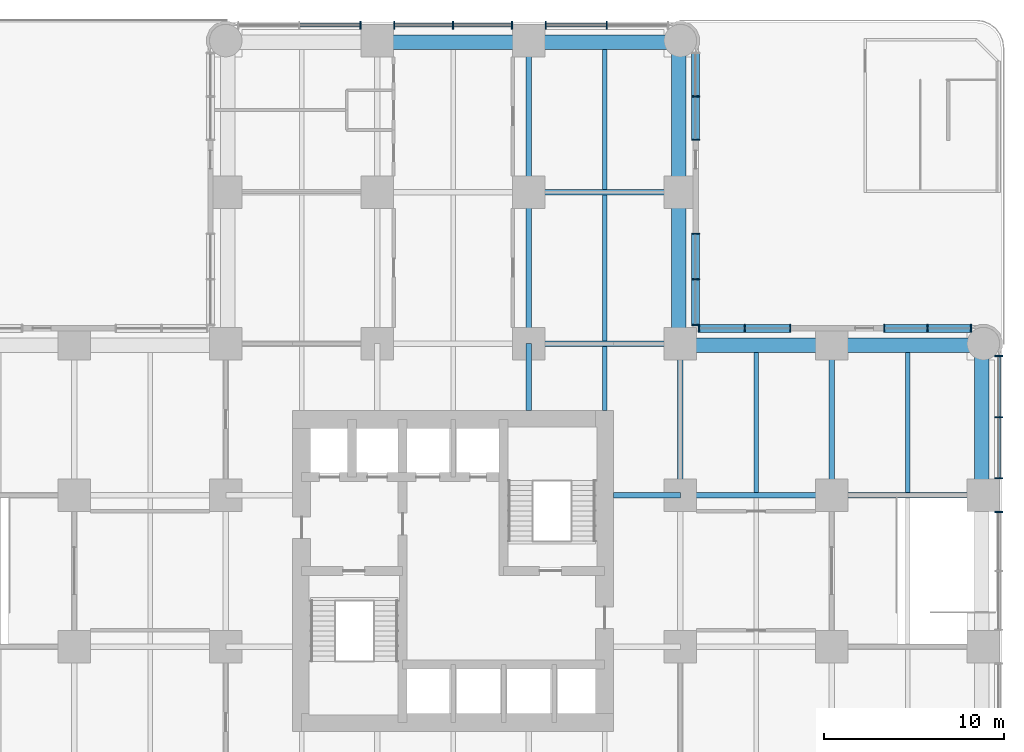
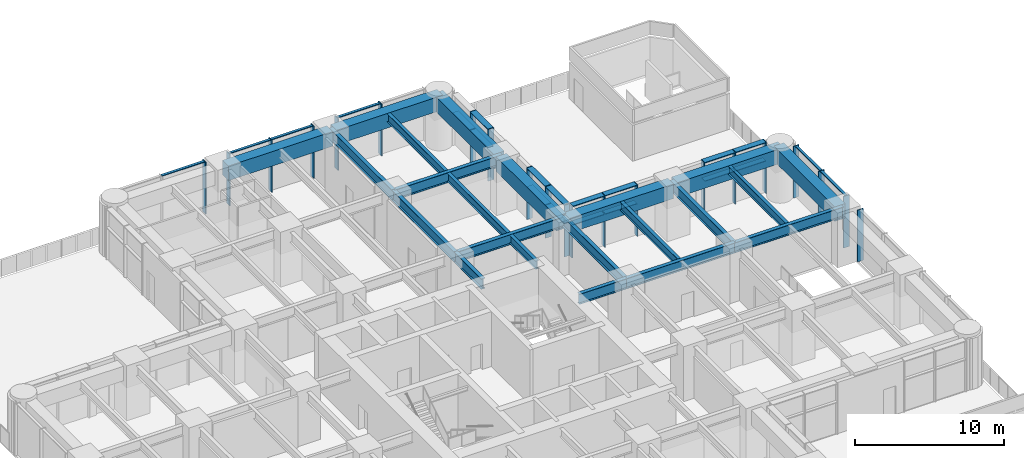
# One storey, part 6 of 21: 42 members, 22 beams, 6 elements without a shape of their own.
"""IFC4 building model written with IfcOpenShell, lengths in metres."""

from ifc_helpers import new_model, si_unit, direction, frame, origin, origin_2d, place, context, subcontext, project, spatial, rectangle, i_section, extrude, material, material_profile, profile_set, type_object, element, aggregate, save


model = new_model("IFC4")

# Units and contexts
model_context = context("Model", 3, precision=1e-05, world=origin(), true_north=direction((0.0, 1.0)))
body_context = subcontext(model_context, "Body", "Model", "MODEL_VIEW")
ifc_project = project(units=[si_unit("LENGTHUNIT", "METRE"), si_unit("AREAUNIT", "SQUARE_METRE"), si_unit("VOLUMEUNIT", "CUBIC_METRE"), si_unit("PLANEANGLEUNIT", "RADIAN"), si_unit("MASSUNIT", "GRAM", prefix="KILO")], contexts=[model_context])

# Site, building, storey
site_placement = place(None, origin())
site = spatial("IfcSite", under=ifc_project, at=site_placement, CompositionType="ELEMENT")
building_placement = place(site_placement, origin())
building = spatial("IfcBuilding", under=site, at=building_placement, Name="Torre Alcanfor", CompositionType="ELEMENT")
storey_placement = place(building_placement, frame((0.0, 0.0, 24.0)))
storey = spatial("IfcBuildingStorey", under=building, at=storey_placement, Name="L05", CompositionType="ELEMENT", Elevation=24.0)

# Curtain wall, members
ifc_material_1 = material(Name="Aluminium and glass", Category="aluminium")
curtain_wall_type_1 = type_object("IfcCurtainWallType", Name="CW-B unitised classroom glazing with vertical FIN", PredefinedType="NOTDEFINED", material=ifc_material_1)
curtain_wall_1_placement = place(storey_placement, origin())
curtain_wall_1 = element("IfcCurtainWall", 1, at=curtain_wall_1_placement, inside=storey, type_object=curtain_wall_type_1, Name="Curtain wall CW-B L05 8", PredefinedType="NOTDEFINED")
ifc_material_2 = material(Name="Bronze anodised aluminium", Category="aluminium")
ifc_material_profile_1 = material_profile(ifc_material_2, rectangle(XDim=0.449951171875, YDim=0.06494140625, at=origin_2d()), Name="CW-B mullion 65x450")
ifc_profile_set_1 = profile_set([ifc_material_profile_1], Name="Bronze anodised aluminium")
member_type_1 = type_object("IfcMemberType", Name="CW-B mullion with vertical FIN 65x450", PredefinedType="MULLION", material=ifc_profile_set_1)
member_1_placement = place(storey_placement, frame((59.64990234375, 32.66259765625, 0.0), z_axis=(0.0, 0.0, 1.0), x_axis=(-1.0, 0.0, 0.0)))
member_1 = element("IfcMember", 2, at=member_1_placement, type_object=member_type_1, Name="CW-B mullion 2.3", PredefinedType="MULLION", context=body_context, shape_type="SweptSolid", body=[
    extrude(rectangle(XDim=0.449951171875, YDim=0.06494140625, at=origin_2d()), origin(), (0.0, 0.0, 1.0), 4.25),
])
member_2_placement = place(storey_placement, frame((59.64990234375, 34.53759765625, 0.0), z_axis=(0.0, 0.0, 1.0), x_axis=(-1.0, 0.0, 0.0)))
member_2 = element("IfcMember", 3, at=member_2_placement, type_object=member_type_1, Name="CW-B mullion 3.1", PredefinedType="MULLION", context=body_context, shape_type="SweptSolid", body=[
    extrude(rectangle(XDim=0.449951171875, YDim=0.06494140625, at=origin_2d()), origin(), (0.0, 0.0, 1.0), 4.25),
])
member_3_placement = place(storey_placement, frame((59.64990234375, 37.92529296875, 0.0), z_axis=(0.0, 0.0, 1.0), x_axis=(-1.0, 0.0, 0.0)))
member_3 = element("IfcMember", 4, at=member_3_placement, type_object=member_type_1, Name="CW-B mullion 3.2", PredefinedType="MULLION", context=body_context, shape_type="SweptSolid", body=[
    extrude(rectangle(XDim=0.449951171875, YDim=0.06494140625, at=origin_2d()), origin(), (0.0, 0.0, 1.0), 4.25),
])
member_4_placement = place(storey_placement, frame((59.64990234375, 41.31298828125, 0.0), z_axis=(0.0, 0.0, 1.0), x_axis=(-1.0, 0.0, 0.0)))
member_4 = element("IfcMember", 5, at=member_4_placement, type_object=member_type_1, Name="CW-B mullion 3.3", PredefinedType="MULLION", context=body_context, shape_type="SweptSolid", body=[
    extrude(rectangle(XDim=0.449951171875, YDim=0.06494140625, at=origin_2d()), origin(), (0.0, 0.0, 1.0), 4.25),
])

curtain_wall_2_placement = place(storey_placement, origin())
curtain_wall_2 = element("IfcCurtainWall", 6, at=curtain_wall_2_placement, inside=storey, type_object=curtain_wall_type_1, Name="Curtain wall CW-B L05 11", PredefinedType="NOTDEFINED")
member_5_placement = place(storey_placement, frame((37.92529296875, 59.64990234375, 0.0), z_axis=(0.0, 0.0, 1.0), x_axis=(0.0, -1.0, 0.0)))
member_5 = element("IfcMember", 7, at=member_5_placement, type_object=member_type_1, Name="CW-B mullion 1.2", PredefinedType="MULLION", context=body_context, shape_type="SweptSolid", body=[
    extrude(rectangle(XDim=0.449951171875, YDim=0.06494140625, at=origin_2d()), origin(), (0.0, 0.0, 1.0), 4.25),
])
member_6_placement = place(storey_placement, frame((34.53759765625, 59.64990234375, 0.0), z_axis=(0.0, 0.0, 1.0), x_axis=(0.0, -1.0, 0.0)))
member_6 = element("IfcMember", 8, at=member_6_placement, type_object=member_type_1, Name="CW-B mullion 1.3", PredefinedType="MULLION", context=body_context, shape_type="SweptSolid", body=[
    extrude(rectangle(XDim=0.449951171875, YDim=0.06494140625, at=origin_2d()), origin(), (0.0, 0.0, 1.0), 4.25),
])
member_7_placement = place(storey_placement, frame((32.66259765625, 59.64990234375, 0.0), z_axis=(0.0, 0.0, 1.0), x_axis=(0.0, -1.0, 0.0)))
member_7 = element("IfcMember", 9, at=member_7_placement, type_object=member_type_1, Name="CW-B mullion 2.1", PredefinedType="MULLION", context=body_context, shape_type="SweptSolid", body=[
    extrude(rectangle(XDim=0.449951171875, YDim=0.06494140625, at=origin_2d()), origin(), (0.0, 0.0, 1.0), 4.25),
])
member_8_placement = place(storey_placement, frame((29.39990234375, 59.64990234375, 0.0), z_axis=(0.0, 0.0, 1.0), x_axis=(0.0, -1.0, 0.0)))
member_8 = element("IfcMember", 10, at=member_8_placement, type_object=member_type_1, Name="CW-B mullion 2.2", PredefinedType="MULLION", context=body_context, shape_type="SweptSolid", body=[
    extrude(rectangle(XDim=0.449951171875, YDim=0.06494140625, at=origin_2d()), origin(), (0.0, 0.0, 1.0), 4.25),
])
member_9_placement = place(storey_placement, frame((26.137451171875, 59.64990234375, 0.0), z_axis=(0.0, 0.0, 1.0), x_axis=(0.0, -1.0, 0.0)))
member_9 = element("IfcMember", 11, at=member_9_placement, type_object=member_type_1, Name="CW-B mullion 2.3", PredefinedType="MULLION", context=body_context, shape_type="SweptSolid", body=[
    extrude(rectangle(XDim=0.449951171875, YDim=0.06494140625, at=origin_2d()), origin(), (0.0, 0.0, 1.0), 4.25),
])
member_10_placement = place(storey_placement, frame((24.262451171875, 59.64990234375, 0.0), z_axis=(0.0, 0.0, 1.0), x_axis=(0.0, -1.0, 0.0)))
member_10 = element("IfcMember", 12, at=member_10_placement, type_object=member_type_1, Name="CW-B mullion 3.1", PredefinedType="MULLION", context=body_context, shape_type="SweptSolid", body=[
    extrude(rectangle(XDim=0.449951171875, YDim=0.06494140625, at=origin_2d()), origin(), (0.0, 0.0, 1.0), 4.25),
])

# Member
ifc_material_3 = material(Name="Extruded aluminium", Category="aluminium")
ifc_material_profile_2 = material_profile(ifc_material_3, rectangle(XDim=0.199951171875, YDim=0.06494140625, at=origin_2d()), Name="CW-B transom 200x65")
ifc_profile_set_2 = profile_set([ifc_material_profile_2], Name="Extruded aluminium")
member_type_2 = type_object("IfcMemberType", Name="CW-B transom 65x200", PredefinedType="USERDEFINED", material=ifc_profile_set_2)
member_11_placement = place(storey_placement, frame((59.64990234375, 34.570068359375, 4.217529296875), z_axis=(0.0, 1.0, 0.0), x_axis=(-1.0, 0.0, 0.0)))
member_11 = element("IfcMember", 13, at=member_11_placement, type_object=member_type_2, Name="CW-B transom 3.1.2", ObjectType="TRANSOM", PredefinedType="USERDEFINED", context=body_context, shape_type="SweptSolid", body=[
    extrude(rectangle(XDim=0.199951171875, YDim=0.06494140625, at=origin_2d()), origin(), (0.0, 0.0, 1.0), 3.32275390625),
])

member_12_placement = place(storey_placement, frame((59.64990234375, 37.957763671875, 4.217529296875), z_axis=(0.0, 1.0, 0.0), x_axis=(-1.0, 0.0, 0.0)))
member_12 = element("IfcMember", 14, at=member_12_placement, type_object=member_type_2, Name="CW-B transom 3.2.2", ObjectType="TRANSOM", PredefinedType="USERDEFINED", context=body_context, shape_type="SweptSolid", body=[
    extrude(rectangle(XDim=0.199951171875, YDim=0.06494140625, at=origin_2d()), origin(), (0.0, 0.0, 1.0), 3.32275390625),
])

aggregate(curtain_wall_1, [member_1, member_2, member_3, member_4, member_11, member_12])

member_13_placement = place(storey_placement, frame((37.892822265625, 59.64990234375, 4.217529296875), z_axis=(-1.0, 0.0, 0.0), x_axis=(0.0, -1.0, 0.0)))
member_13 = element("IfcMember", 15, at=member_13_placement, type_object=member_type_2, Name="CW-B transom 1.2.2", ObjectType="TRANSOM", PredefinedType="USERDEFINED", context=body_context, shape_type="SweptSolid", body=[
    extrude(rectangle(XDim=0.199951171875, YDim=0.06494140625, at=origin_2d()), origin(), (0.0, 0.0, 1.0), 3.32275390625),
])

member_14_placement = place(storey_placement, frame((32.6298828125, 59.64990234375, 4.217529296875), z_axis=(-1.0, 0.0, 0.0), x_axis=(0.0, -1.0, 0.0)))
member_14 = element("IfcMember", 16, at=member_14_placement, type_object=member_type_2, Name="CW-B transom 2.1.2", ObjectType="TRANSOM", PredefinedType="USERDEFINED", context=body_context, shape_type="SweptSolid", body=[
    extrude(rectangle(XDim=0.199951171875, YDim=0.06494140625, at=origin_2d()), origin(), (0.0, 0.0, 1.0), 3.197265625),
])

member_15_placement = place(storey_placement, frame((29.367431640625, 59.64990234375, 4.217529296875), z_axis=(-1.0, 0.0, 0.0), x_axis=(0.0, -1.0, 0.0)))
member_15 = element("IfcMember", 17, at=member_15_placement, type_object=member_type_2, Name="CW-B transom 2.2.2", ObjectType="TRANSOM", PredefinedType="USERDEFINED", context=body_context, shape_type="SweptSolid", body=[
    extrude(rectangle(XDim=0.199951171875, YDim=0.06494140625, at=origin_2d()), origin(), (0.0, 0.0, 1.0), 3.197509765625),
])

member_16_placement = place(storey_placement, frame((24.22998046875, 59.64990234375, 4.217529296875), z_axis=(-1.0, 0.0, 0.0), x_axis=(0.0, -1.0, 0.0)))
member_16 = element("IfcMember", 18, at=member_16_placement, type_object=member_type_2, Name="CW-B transom 3.1.2", ObjectType="TRANSOM", PredefinedType="USERDEFINED", context=body_context, shape_type="SweptSolid", body=[
    extrude(rectangle(XDim=0.199951171875, YDim=0.06494140625, at=origin_2d()), origin(), (0.0, 0.0, 1.0), 3.32275390625),
])

aggregate(curtain_wall_2, [member_5, member_6, member_13, member_7, member_8, member_9, member_14, member_15, member_10, member_16])

# Curtain wall, members
ifc_material_4 = material(Name="Aluminium and glass", Category="aluminium")
curtain_wall_type_2 = type_object("IfcCurtainWallType", Name="CW-F south classroom glazing with SUNSHADE transom", PredefinedType="NOTDEFINED", material=ifc_material_4)
curtain_wall_3_placement = place(storey_placement, origin())
curtain_wall_3 = element("IfcCurtainWall", 19, at=curtain_wall_3_placement, inside=storey, type_object=curtain_wall_type_2, Name="Curtain wall CW-F L05 9", PredefinedType="NOTDEFINED")
ifc_material_5 = material(Name="Extruded aluminium", Category="aluminium")
ifc_material_profile_3 = material_profile(ifc_material_5, rectangle(XDim=0.449951171875, YDim=0.06494140625, at=origin_2d()), Name="CW-F transom 450x65")
ifc_profile_set_3 = profile_set([ifc_material_profile_3], Name="Extruded aluminium")
member_type_3 = type_object("IfcMemberType", Name="CW-F SUNSHADE transom 65x450", PredefinedType="USERDEFINED", material=ifc_profile_set_3)
member_17_placement = place(storey_placement, frame((58.08056640625, 42.85009765625, 2.699951171875), z_axis=(-1.0, 0.0, 0.0), x_axis=(0.0, -1.0, 0.0)))
member_17 = element("IfcMember", 20, at=member_17_placement, type_object=member_type_3, Name="CW-F transom 1.1.2", ObjectType="TRANSOM", PredefinedType="USERDEFINED", context=body_context, shape_type="SweptSolid", body=[
    extrude(rectangle(XDim=0.449951171875, YDim=0.06494140625, at=origin_2d()), origin(), (0.0, 0.0, 1.0), 2.342041015625),
])
member_18_placement = place(storey_placement, frame((58.08056640625, 42.85009765625, 4.217529296875), z_axis=(-1.0, 0.0, 0.0), x_axis=(0.0, -1.0, 0.0)))
member_18 = element("IfcMember", 21, at=member_18_placement, type_object=member_type_3, Name="CW-F transom 1.1.3", ObjectType="TRANSOM", PredefinedType="USERDEFINED", context=body_context, shape_type="SweptSolid", body=[
    extrude(rectangle(XDim=0.449951171875, YDim=0.06494140625, at=origin_2d()), origin(), (0.0, 0.0, 1.0), 2.342041015625),
])
member_19_placement = place(storey_placement, frame((55.673583984375, 42.85009765625, 2.699951171875), z_axis=(-1.0, 0.0, 0.0), x_axis=(0.0, -1.0, 0.0)))
member_19 = element("IfcMember", 22, at=member_19_placement, type_object=member_type_3, Name="CW-F transom 1.2.2", ObjectType="TRANSOM", PredefinedType="USERDEFINED", context=body_context, shape_type="SweptSolid", body=[
    extrude(rectangle(XDim=0.449951171875, YDim=0.06494140625, at=origin_2d()), origin(), (0.0, 0.0, 1.0), 2.341796875),
])
member_20_placement = place(storey_placement, frame((55.673583984375, 42.85009765625, 4.217529296875), z_axis=(-1.0, 0.0, 0.0), x_axis=(0.0, -1.0, 0.0)))
member_20 = element("IfcMember", 23, at=member_20_placement, type_object=member_type_3, Name="CW-F transom 1.2.3", ObjectType="TRANSOM", PredefinedType="USERDEFINED", context=body_context, shape_type="SweptSolid", body=[
    extrude(rectangle(XDim=0.449951171875, YDim=0.06494140625, at=origin_2d()), origin(), (0.0, 0.0, 1.0), 2.341796875),
])

curtain_wall_4_placement = place(storey_placement, origin())
curtain_wall_4 = element("IfcCurtainWall", 24, at=curtain_wall_4_placement, inside=storey, type_object=curtain_wall_type_2, Name="Curtain wall CW-F L05 9", PredefinedType="NOTDEFINED")
member_21_placement = place(storey_placement, frame((48.068359375, 42.85009765625, 2.699951171875), z_axis=(-1.0, 0.0, 0.0), x_axis=(0.0, -1.0, 0.0)))
member_21 = element("IfcMember", 25, at=member_21_placement, type_object=member_type_3, Name="CW-F transom 1.2", ObjectType="TRANSOM", PredefinedType="USERDEFINED", context=body_context, shape_type="SweptSolid", body=[
    extrude(rectangle(XDim=0.449951171875, YDim=0.06494140625, at=origin_2d()), origin(), (0.0, 0.0, 1.0), 2.46923828125),
])
member_22_placement = place(storey_placement, frame((48.068359375, 42.85009765625, 4.217529296875), z_axis=(-1.0, 0.0, 0.0), x_axis=(0.0, -1.0, 0.0)))
member_22 = element("IfcMember", 26, at=member_22_placement, type_object=member_type_3, Name="CW-F transom 1.3", ObjectType="TRANSOM", PredefinedType="USERDEFINED", context=body_context, shape_type="SweptSolid", body=[
    extrude(rectangle(XDim=0.449951171875, YDim=0.06494140625, at=origin_2d()), origin(), (0.0, 0.0, 1.0), 2.46923828125),
])
member_23_placement = place(storey_placement, frame((45.5341796875, 42.85009765625, 2.699951171875), z_axis=(-1.0, 0.0, 0.0), x_axis=(0.0, -1.0, 0.0)))
member_23 = element("IfcMember", 27, at=member_23_placement, type_object=member_type_3, Name="CW-F transom 2.2", ObjectType="TRANSOM", PredefinedType="USERDEFINED", context=body_context, shape_type="SweptSolid", body=[
    extrude(rectangle(XDim=0.449951171875, YDim=0.06494140625, at=origin_2d()), origin(), (0.0, 0.0, 1.0), 2.46923828125),
])
member_24_placement = place(storey_placement, frame((45.5341796875, 42.85009765625, 4.217529296875), z_axis=(-1.0, 0.0, 0.0), x_axis=(0.0, -1.0, 0.0)))
member_24 = element("IfcMember", 28, at=member_24_placement, type_object=member_type_3, Name="CW-F transom 2.3", ObjectType="TRANSOM", PredefinedType="USERDEFINED", context=body_context, shape_type="SweptSolid", body=[
    extrude(rectangle(XDim=0.449951171875, YDim=0.06494140625, at=origin_2d()), origin(), (0.0, 0.0, 1.0), 2.46923828125),
])

curtain_wall_5_placement = place(storey_placement, origin())
curtain_wall_5 = element("IfcCurtainWall", 29, at=curtain_wall_5_placement, inside=storey, type_object=curtain_wall_type_2, Name="Curtain wall CW-F L05 10", PredefinedType="NOTDEFINED")
member_25_placement = place(storey_placement, frame((42.85009765625, 43.06494140625, 2.699951171875), z_axis=(0.0, 1.0, 0.0), x_axis=(-1.0, 0.0, 0.0)))
member_25 = element("IfcMember", 30, at=member_25_placement, type_object=member_type_3, Name="CW-F transom 1.2", ObjectType="TRANSOM", PredefinedType="USERDEFINED", context=body_context, shape_type="SweptSolid", body=[
    extrude(rectangle(XDim=0.449951171875, YDim=0.06494140625, at=origin_2d()), origin(), (0.0, 0.0, 1.0), 2.46923828125),
])
member_26_placement = place(storey_placement, frame((42.85009765625, 43.06494140625, 4.217529296875), z_axis=(0.0, 1.0, 0.0), x_axis=(-1.0, 0.0, 0.0)))
member_26 = element("IfcMember", 31, at=member_26_placement, type_object=member_type_3, Name="CW-F transom 1.3", ObjectType="TRANSOM", PredefinedType="USERDEFINED", context=body_context, shape_type="SweptSolid", body=[
    extrude(rectangle(XDim=0.449951171875, YDim=0.06494140625, at=origin_2d()), origin(), (0.0, 0.0, 1.0), 2.46923828125),
])
member_27_placement = place(storey_placement, frame((42.85009765625, 45.59912109375, 2.699951171875), z_axis=(0.0, 1.0, 0.0), x_axis=(-1.0, 0.0, 0.0)))
member_27 = element("IfcMember", 32, at=member_27_placement, type_object=member_type_3, Name="CW-F transom 2.2", ObjectType="TRANSOM", PredefinedType="USERDEFINED", context=body_context, shape_type="SweptSolid", body=[
    extrude(rectangle(XDim=0.449951171875, YDim=0.06494140625, at=origin_2d()), origin(), (0.0, 0.0, 1.0), 2.46923828125),
])
member_28_placement = place(storey_placement, frame((42.85009765625, 45.59912109375, 4.217529296875), z_axis=(0.0, 1.0, 0.0), x_axis=(-1.0, 0.0, 0.0)))
member_28 = element("IfcMember", 33, at=member_28_placement, type_object=member_type_3, Name="CW-F transom 2.3", ObjectType="TRANSOM", PredefinedType="USERDEFINED", context=body_context, shape_type="SweptSolid", body=[
    extrude(rectangle(XDim=0.449951171875, YDim=0.06494140625, at=origin_2d()), origin(), (0.0, 0.0, 1.0), 2.46923828125),
])

curtain_wall_6_placement = place(storey_placement, origin())
curtain_wall_6 = element("IfcCurtainWall", 34, at=curtain_wall_6_placement, inside=storey, type_object=curtain_wall_type_2, Name="Curtain wall CW-F L05 10", PredefinedType="NOTDEFINED")
member_29_placement = place(storey_placement, frame((42.85009765625, 53.331787109375, 2.699951171875), z_axis=(0.0, 1.0, 0.0), x_axis=(-1.0, 0.0, 0.0)))
member_29 = element("IfcMember", 35, at=member_29_placement, type_object=member_type_3, Name="CW-F transom 1.1.2", ObjectType="TRANSOM", PredefinedType="USERDEFINED", context=body_context, shape_type="SweptSolid", body=[
    extrude(rectangle(XDim=0.449951171875, YDim=0.06494140625, at=origin_2d()), origin(), (0.0, 0.0, 1.0), 2.341796875),
])
member_30_placement = place(storey_placement, frame((42.85009765625, 53.331787109375, 4.217529296875), z_axis=(0.0, 1.0, 0.0), x_axis=(-1.0, 0.0, 0.0)))
member_30 = element("IfcMember", 36, at=member_30_placement, type_object=member_type_3, Name="CW-F transom 1.1.3", ObjectType="TRANSOM", PredefinedType="USERDEFINED", context=body_context, shape_type="SweptSolid", body=[
    extrude(rectangle(XDim=0.449951171875, YDim=0.06494140625, at=origin_2d()), origin(), (0.0, 0.0, 1.0), 2.341796875),
])
member_31_placement = place(storey_placement, frame((42.85009765625, 55.738525390625, 2.699951171875), z_axis=(0.0, 1.0, 0.0), x_axis=(-1.0, 0.0, 0.0)))
member_31 = element("IfcMember", 37, at=member_31_placement, type_object=member_type_3, Name="CW-F transom 1.2.2", ObjectType="TRANSOM", PredefinedType="USERDEFINED", context=body_context, shape_type="SweptSolid", body=[
    extrude(rectangle(XDim=0.449951171875, YDim=0.06494140625, at=origin_2d()), origin(), (0.0, 0.0, 1.0), 2.342041015625),
])

# Member
ifc_material_6 = material(Name="Bronze anodised aluminium", Category="aluminium")
ifc_material_profile_4 = material_profile(ifc_material_6, rectangle(XDim=0.449951171875, YDim=0.06494140625, at=origin_2d()), Name="CW-F mullion 65x450")
ifc_profile_set_4 = profile_set([ifc_material_profile_4], Name="Bronze anodised aluminium")
member_type_4 = type_object("IfcMemberType", Name="CW-F mullion with vertical FIN 65x450", PredefinedType="MULLION", material=ifc_profile_set_4)
member_32_placement = place(storey_placement, frame((58.113037109375, 42.85009765625, 0.0), z_axis=(0.0, 0.0, 1.0), x_axis=(0.0, -1.0, 0.0)))
member_32 = element("IfcMember", 38, at=member_32_placement, type_object=member_type_4, Name="CW-F mullion 1.1", PredefinedType="MULLION", context=body_context, shape_type="SweptSolid", body=[
    extrude(rectangle(XDim=0.449951171875, YDim=0.06494140625, at=origin_2d()), origin(), (0.0, 0.0, 1.0), 4.25),
])

member_33_placement = place(storey_placement, frame((55.7060546875, 42.85009765625, 0.0), z_axis=(0.0, 0.0, 1.0), x_axis=(0.0, -1.0, 0.0)))
member_33 = element("IfcMember", 39, at=member_33_placement, type_object=member_type_4, Name="CW-F mullion 1.2", PredefinedType="MULLION", context=body_context, shape_type="SweptSolid", body=[
    extrude(rectangle(XDim=0.449951171875, YDim=0.06494140625, at=origin_2d()), origin(), (0.0, 0.0, 1.0), 4.25),
])

member_34_placement = place(storey_placement, frame((53.29931640625, 42.85009765625, 0.0), z_axis=(0.0, 0.0, 1.0), x_axis=(0.0, -1.0, 0.0)))
member_34 = element("IfcMember", 40, at=member_34_placement, type_object=member_type_4, Name="CW-F mullion 1.3", PredefinedType="MULLION", context=body_context, shape_type="SweptSolid", body=[
    extrude(rectangle(XDim=0.449951171875, YDim=0.06494140625, at=origin_2d()), origin(), (0.0, 0.0, 1.0), 4.25),
])

aggregate(curtain_wall_3, [member_32, member_33, member_34, member_17, member_18, member_19, member_20])

member_35_placement = place(storey_placement, frame((48.100830078125, 42.85009765625, 0.0), z_axis=(0.0, 0.0, 1.0), x_axis=(0.0, -1.0, 0.0)))
member_35 = element("IfcMember", 41, at=member_35_placement, type_object=member_type_4, Name="CW-F mullion 1", PredefinedType="MULLION", context=body_context, shape_type="SweptSolid", body=[
    extrude(rectangle(XDim=0.449951171875, YDim=0.06494140625, at=origin_2d()), origin(), (0.0, 0.0, 1.0), 4.25),
])

member_36_placement = place(storey_placement, frame((45.566650390625, 42.85009765625, 0.0), z_axis=(0.0, 0.0, 1.0), x_axis=(0.0, -1.0, 0.0)))
member_36 = element("IfcMember", 42, at=member_36_placement, type_object=member_type_4, Name="CW-F mullion 2", PredefinedType="MULLION", context=body_context, shape_type="SweptSolid", body=[
    extrude(rectangle(XDim=0.449951171875, YDim=0.06494140625, at=origin_2d()), origin(), (0.0, 0.0, 1.0), 4.25),
])

member_37_placement = place(storey_placement, frame((43.032470703125, 42.85009765625, 0.0), z_axis=(0.0, 0.0, 1.0), x_axis=(0.0, -1.0, 0.0)))
member_37 = element("IfcMember", 43, at=member_37_placement, type_object=member_type_4, Name="CW-F mullion 3", PredefinedType="MULLION", context=body_context, shape_type="SweptSolid", body=[
    extrude(rectangle(XDim=0.449951171875, YDim=0.06494140625, at=origin_2d()), origin(), (0.0, 0.0, 1.0), 4.25),
])

aggregate(curtain_wall_4, [member_35, member_36, member_37, member_21, member_22, member_23, member_24])

member_38_placement = place(storey_placement, frame((42.85009765625, 43.032470703125, 0.0), z_axis=(0.0, 0.0, 1.0), x_axis=(-1.0, 0.0, 0.0)))
member_38 = element("IfcMember", 44, at=member_38_placement, type_object=member_type_4, Name="CW-F mullion 1", PredefinedType="MULLION", context=body_context, shape_type="SweptSolid", body=[
    extrude(rectangle(XDim=0.449951171875, YDim=0.06494140625, at=origin_2d()), origin(), (0.0, 0.0, 1.0), 4.25),
])

member_39_placement = place(storey_placement, frame((42.85009765625, 45.566650390625, 0.0), z_axis=(0.0, 0.0, 1.0), x_axis=(-1.0, 0.0, 0.0)))
member_39 = element("IfcMember", 45, at=member_39_placement, type_object=member_type_4, Name="CW-F mullion 2", PredefinedType="MULLION", context=body_context, shape_type="SweptSolid", body=[
    extrude(rectangle(XDim=0.449951171875, YDim=0.06494140625, at=origin_2d()), origin(), (0.0, 0.0, 1.0), 4.25),
])

member_40_placement = place(storey_placement, frame((42.85009765625, 48.100830078125, 0.0), z_axis=(0.0, 0.0, 1.0), x_axis=(-1.0, 0.0, 0.0)))
member_40 = element("IfcMember", 46, at=member_40_placement, type_object=member_type_4, Name="CW-F mullion 3", PredefinedType="MULLION", context=body_context, shape_type="SweptSolid", body=[
    extrude(rectangle(XDim=0.449951171875, YDim=0.06494140625, at=origin_2d()), origin(), (0.0, 0.0, 1.0), 4.25),
])

aggregate(curtain_wall_5, [member_38, member_39, member_40, member_25, member_26, member_27, member_28])

member_41_placement = place(storey_placement, frame((42.85009765625, 53.29931640625, 0.0), z_axis=(0.0, 0.0, 1.0), x_axis=(-1.0, 0.0, 0.0)))
member_41 = element("IfcMember", 47, at=member_41_placement, type_object=member_type_4, Name="CW-F mullion 1.1", PredefinedType="MULLION", context=body_context, shape_type="SweptSolid", body=[
    extrude(rectangle(XDim=0.449951171875, YDim=0.06494140625, at=origin_2d()), origin(), (0.0, 0.0, 1.0), 4.25),
])

member_42_placement = place(storey_placement, frame((42.85009765625, 55.7060546875, 0.0), z_axis=(0.0, 0.0, 1.0), x_axis=(-1.0, 0.0, 0.0)))
member_42 = element("IfcMember", 48, at=member_42_placement, type_object=member_type_4, Name="CW-F mullion 1.2", PredefinedType="MULLION", context=body_context, shape_type="SweptSolid", body=[
    extrude(rectangle(XDim=0.449951171875, YDim=0.06494140625, at=origin_2d()), origin(), (0.0, 0.0, 1.0), 4.25),
])

aggregate(curtain_wall_6, [member_41, member_42, member_29, member_30, member_31])

# Beams
ifc_material_7 = material(Name="Steel ASTM A992 Grade 50", Category="steel")
ifc_material_profile_5 = material_profile(ifc_material_7, i_section(OverallWidth=0.2919921875, OverallDepth=0.8408203125, WebThickness=0.0146484375, FlangeThickness=0.021728515625, at=origin_2d()), Name="W33x130")
ifc_profile_set_5 = profile_set([ifc_material_profile_5], Name="Steel ASTM A992 Grade 50")
beam_type_1 = type_object("IfcBeamType", Name="Girder W33x130", PredefinedType="BEAM", material=ifc_profile_set_5)
beam_1_placement = place(storey_placement, frame((42.0, 33.60009765625, 3.82958984375), z_axis=(1.0, 0.0, 0.0), x_axis=(0.0, 1.0, 0.0)))
element("IfcBeam", 49, at=beam_1_placement, inside=storey, type_object=beam_type_1, Name="Beam 6G-7G under L06", PredefinedType="BEAM", context=body_context, shape_type="SweptSolid", body=[
    extrude(i_section(OverallWidth=0.2919921875, OverallDepth=0.8408203125, WebThickness=0.0146484375, FlangeThickness=0.021728515625, at=origin_2d()), origin(), (0.0, 0.0, 1.0), 8.39990234375),
])
beam_2_placement = place(storey_placement, frame((50.39990234375, 33.60009765625, 3.82958984375), z_axis=(1.0, 0.0, 0.0), x_axis=(0.0, 1.0, 0.0)))
element("IfcBeam", 50, at=beam_2_placement, inside=storey, type_object=beam_type_1, Name="Beam 7G-8G under L06", PredefinedType="BEAM", context=body_context, shape_type="SweptSolid", body=[
    extrude(i_section(OverallWidth=0.2919921875, OverallDepth=0.8408203125, WebThickness=0.0146484375, FlangeThickness=0.021728515625, at=origin_2d()), origin(), (0.0, 0.0, 1.0), 8.400146484375),
])
for number, where, z_axis, x_axis, name in (
    (51, (33.60009765625, 42.0, 3.82958984375), (1.0, 0.0, 0.0), (0.0, 1.0, 0.0), "Beam 5H-6H under L06"),
    (52, (33.60009765625, 50.39990234375, 3.82958984375), (1.0, 0.0, 0.0), (0.0, 1.0, 0.0), "Beam 5J-6J under L06"),
    (53, (33.60009765625, 42.0, 3.82958984375), (0.0, 1.0, 0.0), (-1.0, 0.0, 0.0), "Beam 5H-5J under L06"),
):
    element("IfcBeam", number, at=place(storey_placement, frame(where, z_axis=z_axis, x_axis=x_axis)), inside=storey, type_object=beam_type_1, Name=name, PredefinedType="BEAM", context=body_context, shape_type="SweptSolid", body=[
        extrude(i_section(OverallWidth=0.2919921875, OverallDepth=0.8408203125, WebThickness=0.0146484375, FlangeThickness=0.021728515625, at=origin_2d()), origin(), (0.0, 0.0, 1.0), 8.39990234375),
    ])
beam_3_placement = place(storey_placement, frame((33.60009765625, 50.39990234375, 3.82958984375), z_axis=(0.0, 1.0, 0.0), x_axis=(-1.0, 0.0, 0.0)))
element("IfcBeam", 54, at=beam_3_placement, inside=storey, type_object=beam_type_1, Name="Beam 5J-5K under L06", PredefinedType="BEAM", context=body_context, shape_type="SweptSolid", body=[
    extrude(i_section(OverallWidth=0.2919921875, OverallDepth=0.8408203125, WebThickness=0.0146484375, FlangeThickness=0.021728515625, at=origin_2d()), origin(), (0.0, 0.0, 1.0), 8.400146484375),
])
for number, where, z_axis, x_axis, name in (
    (55, (42.0, 33.60009765625, 3.82958984375), (0.0, 1.0, 0.0), (-1.0, 0.0, 0.0), "Beam 6G-6H under L06"),
    (56, (50.39990234375, 33.60009765625, 3.82958984375), (0.0, 1.0, 0.0), (-1.0, 0.0, 0.0), "Beam 7G-7H under L06"),
):
    element("IfcBeam", number, at=place(storey_placement, frame(where, z_axis=z_axis, x_axis=x_axis)), inside=storey, type_object=beam_type_1, Name=name, PredefinedType="BEAM", context=body_context, shape_type="SweptSolid", body=[
        extrude(i_section(OverallWidth=0.2919921875, OverallDepth=0.8408203125, WebThickness=0.0146484375, FlangeThickness=0.021728515625, at=origin_2d()), origin(), (0.0, 0.0, 1.0), 8.39990234375),
    ])
ifc_material_8 = material(Name="Steel ASTM A992 Grade 50", Category="steel")
ifc_material_profile_6 = material_profile(ifc_material_8, i_section(OverallWidth=0.2919921875, OverallDepth=0.8408203125, WebThickness=0.0146484375, FlangeThickness=0.021728515625, at=origin_2d()), Name="W33x130")
ifc_profile_set_6 = profile_set([ifc_material_profile_6], Name="Steel ASTM A992 Grade 50")
beam_type_2 = type_object("IfcBeamType", Name="Girder, part bay W33x130", PredefinedType="BEAM", material=ifc_profile_set_6)
for number, where, z_axis, x_axis, name in (
    (57, (33.60009765625, 42.0, 3.82958984375), (0.0, -1.0, 0.0), (1.0, 0.0, 0.0), "Beam 5H-538_3 under L06"),
    (58, (42.0, 33.60009765625, 3.82958984375), (-1.0, 0.0, 0.0), (0.0, -1.0, 0.0), "Beam 6G-38_3G under L06"),
):
    element("IfcBeam", number, at=place(storey_placement, frame(where, z_axis=z_axis, x_axis=x_axis)), inside=storey, type_object=beam_type_2, Name=name, PredefinedType="BEAM", context=body_context, shape_type="SweptSolid", body=[
        extrude(i_section(OverallWidth=0.2919921875, OverallDepth=0.8408203125, WebThickness=0.0146484375, FlangeThickness=0.021728515625, at=origin_2d()), origin(), (0.0, 0.0, 1.0), 3.699951171875),
    ])
ifc_material_9 = material(Name="Concrete f'c 70 MPa", Category="concrete")
ifc_material_profile_7 = material_profile(ifc_material_9, rectangle(XDim=0.800048828125, YDim=1.199951171875, at=origin_2d()), Name="800x1200")
ifc_profile_set_7 = profile_set([ifc_material_profile_7], Name="Concrete f'c 70 MPa")
beam_type_3 = type_object("IfcBeamType", Name="RC perimeter beam 800x1200", PredefinedType="BEAM", material=ifc_profile_set_7)
beam_4_placement = place(storey_placement, frame((42.14599609375, 41.89990234375, 3.64990234375), z_axis=(1.0, 0.0, 0.0), x_axis=(0.0, 1.0, 0.0)))
element("IfcBeam", 59, at=beam_4_placement, inside=storey, type_object=beam_type_3, Name="Beam 6H-7H under L06", PredefinedType="BEAM", context=body_context, shape_type="SweptSolid", body=[
    extrude(rectangle(XDim=0.800048828125, YDim=1.199951171875, at=origin_2d()), origin(), (0.0, 0.0, 1.0), 8.10791015625),
])
beam_5_placement = place(storey_placement, frame((50.5458984375, 41.89990234375, 3.64990234375), z_axis=(1.0, 0.0, 0.0), x_axis=(0.0, 1.0, 0.0)))
element("IfcBeam", 60, at=beam_5_placement, inside=storey, type_object=beam_type_3, Name="Beam 7H-8H under L06", PredefinedType="BEAM", context=body_context, shape_type="SweptSolid", body=[
    extrude(rectangle(XDim=0.800048828125, YDim=1.199951171875, at=origin_2d()), origin(), (0.0, 0.0, 1.0), 8.254150390625),
])
beam_6_placement = place(storey_placement, frame((25.345947265625, 58.699951171875, 3.64990234375), z_axis=(1.0, 0.0, 0.0), x_axis=(0.0, 1.0, 0.0)))
element("IfcBeam", 61, at=beam_6_placement, inside=storey, type_object=beam_type_3, Name="Beam 4K-5K under L06", PredefinedType="BEAM", context=body_context, shape_type="SweptSolid", body=[
    extrude(rectangle(XDim=0.800048828125, YDim=1.199951171875, at=origin_2d()), origin(), (0.0, 0.0, 1.0), 8.108154296875),
])
beam_7_placement = place(storey_placement, frame((33.74609375, 58.699951171875, 3.64990234375), z_axis=(1.0, 0.0, 0.0), x_axis=(0.0, 1.0, 0.0)))
element("IfcBeam", 62, at=beam_7_placement, inside=storey, type_object=beam_type_3, Name="Beam 5K-6K under L06", PredefinedType="BEAM", context=body_context, shape_type="SweptSolid", body=[
    extrude(rectangle(XDim=0.800048828125, YDim=1.199951171875, at=origin_2d()), origin(), (0.0, 0.0, 1.0), 8.25390625),
])
beam_8_placement = place(storey_placement, frame((41.89990234375, 42.14599609375, 3.64990234375), z_axis=(0.0, 1.0, 0.0), x_axis=(-1.0, 0.0, 0.0)))
element("IfcBeam", 63, at=beam_8_placement, inside=storey, type_object=beam_type_3, Name="Beam 6H-6J under L06", PredefinedType="BEAM", context=body_context, shape_type="SweptSolid", body=[
    extrude(rectangle(XDim=0.800048828125, YDim=1.199951171875, at=origin_2d()), origin(), (0.0, 0.0, 1.0), 8.10791015625),
])
beam_9_placement = place(storey_placement, frame((41.89990234375, 50.5458984375, 3.64990234375), z_axis=(0.0, 1.0, 0.0), x_axis=(-1.0, 0.0, 0.0)))
element("IfcBeam", 64, at=beam_9_placement, inside=storey, type_object=beam_type_3, Name="Beam 6J-6K under L06", PredefinedType="BEAM", context=body_context, shape_type="SweptSolid", body=[
    extrude(rectangle(XDim=0.800048828125, YDim=1.199951171875, at=origin_2d()), origin(), (0.0, 0.0, 1.0), 8.254150390625),
])
beam_10_placement = place(storey_placement, frame((58.699951171875, 33.74609375, 3.64990234375), z_axis=(0.0, 1.0, 0.0), x_axis=(-1.0, 0.0, 0.0)))
element("IfcBeam", 65, at=beam_10_placement, inside=storey, type_object=beam_type_3, Name="Beam 8G-8H under L06", PredefinedType="BEAM", context=body_context, shape_type="SweptSolid", body=[
    extrude(rectangle(XDim=0.800048828125, YDim=1.199951171875, at=origin_2d()), origin(), (0.0, 0.0, 1.0), 8.25390625),
])
ifc_material_10 = material(Name="Steel ASTM A992 Grade 50", Category="steel")
ifc_material_profile_8 = material_profile(ifc_material_10, i_section(OverallWidth=0.25390625, OverallDepth=0.683349609375, WebThickness=0.012451171875, FlangeThickness=0.01904296875, at=origin_2d()), Name="W27x94")
ifc_profile_set_8 = profile_set([ifc_material_profile_8], Name="Steel ASTM A992 Grade 50")
beam_type_4 = type_object("IfcBeamType", Name="Secondary beam W27x94", PredefinedType="BEAM", material=ifc_profile_set_8)
beam_11_placement = place(storey_placement, frame((37.800048828125, 42.14599609375, 3.908447265625), z_axis=(0.0, 1.0, 0.0), x_axis=(-1.0, 0.0, 0.0)))
element("IfcBeam", 66, at=beam_11_placement, inside=storey, type_object=beam_type_4, Name="Beam 37_8H-37_8J under L06", PredefinedType="BEAM", context=body_context, shape_type="SweptSolid", body=[
    extrude(i_section(OverallWidth=0.25390625, OverallDepth=0.683349609375, WebThickness=0.012451171875, FlangeThickness=0.01904296875, at=origin_2d()), origin(), (0.0, 0.0, 1.0), 8.10791015625),
])
beam_12_placement = place(storey_placement, frame((37.800048828125, 50.5458984375, 3.908447265625), z_axis=(0.0, 1.0, 0.0), x_axis=(-1.0, 0.0, 0.0)))
element("IfcBeam", 67, at=beam_12_placement, inside=storey, type_object=beam_type_4, Name="Beam 37_8J-37_8K under L06", PredefinedType="BEAM", context=body_context, shape_type="SweptSolid", body=[
    extrude(i_section(OverallWidth=0.25390625, OverallDepth=0.683349609375, WebThickness=0.012451171875, FlangeThickness=0.01904296875, at=origin_2d()), origin(), (0.0, 0.0, 1.0), 7.754150390625),
])
for number, where, z_axis, x_axis, name in (
    (68, (46.199951171875, 33.74609375, 3.908447265625), (0.0, 1.0, 0.0), (-1.0, 0.0, 0.0), "Beam 46_2G-46_2H under L06"),
    (69, (54.60009765625, 33.74609375, 3.908447265625), (0.0, 1.0, 0.0), (-1.0, 0.0, 0.0), "Beam 54_6G-54_6H under L06"),
):
    element("IfcBeam", number, at=place(storey_placement, frame(where, z_axis=z_axis, x_axis=x_axis)), inside=storey, type_object=beam_type_4, Name=name, PredefinedType="BEAM", context=body_context, shape_type="SweptSolid", body=[
        extrude(i_section(OverallWidth=0.25390625, OverallDepth=0.683349609375, WebThickness=0.012451171875, FlangeThickness=0.01904296875, at=origin_2d()), origin(), (0.0, 0.0, 1.0), 7.75390625),
    ])
ifc_material_11 = material(Name="Steel ASTM A992 Grade 50", Category="steel")
ifc_material_profile_9 = material_profile(ifc_material_11, i_section(OverallWidth=0.25390625, OverallDepth=0.683349609375, WebThickness=0.012451171875, FlangeThickness=0.01904296875, at=origin_2d()), Name="W27x94")
ifc_profile_set_9 = profile_set([ifc_material_profile_9], Name="Steel ASTM A992 Grade 50")
beam_type_5 = type_object("IfcBeamType", Name="Secondary beam, part bay W27x94", PredefinedType="BEAM", material=ifc_profile_set_9)
beam_13_placement = place(storey_placement, frame((37.800048828125, 38.300048828125, 3.908447265625), z_axis=(0.0, 1.0, 0.0), x_axis=(-1.0, 0.0, 0.0)))
element("IfcBeam", 70, at=beam_13_placement, inside=storey, type_object=beam_type_5, Name="Beam 37_838_3-37_8H under L06", PredefinedType="BEAM", context=body_context, shape_type="SweptSolid", body=[
    extrude(i_section(OverallWidth=0.25390625, OverallDepth=0.683349609375, WebThickness=0.012451171875, FlangeThickness=0.01904296875, at=origin_2d()), origin(), (0.0, 0.0, 1.0), 3.553955078125),
])

save(model, "model.ifc")
